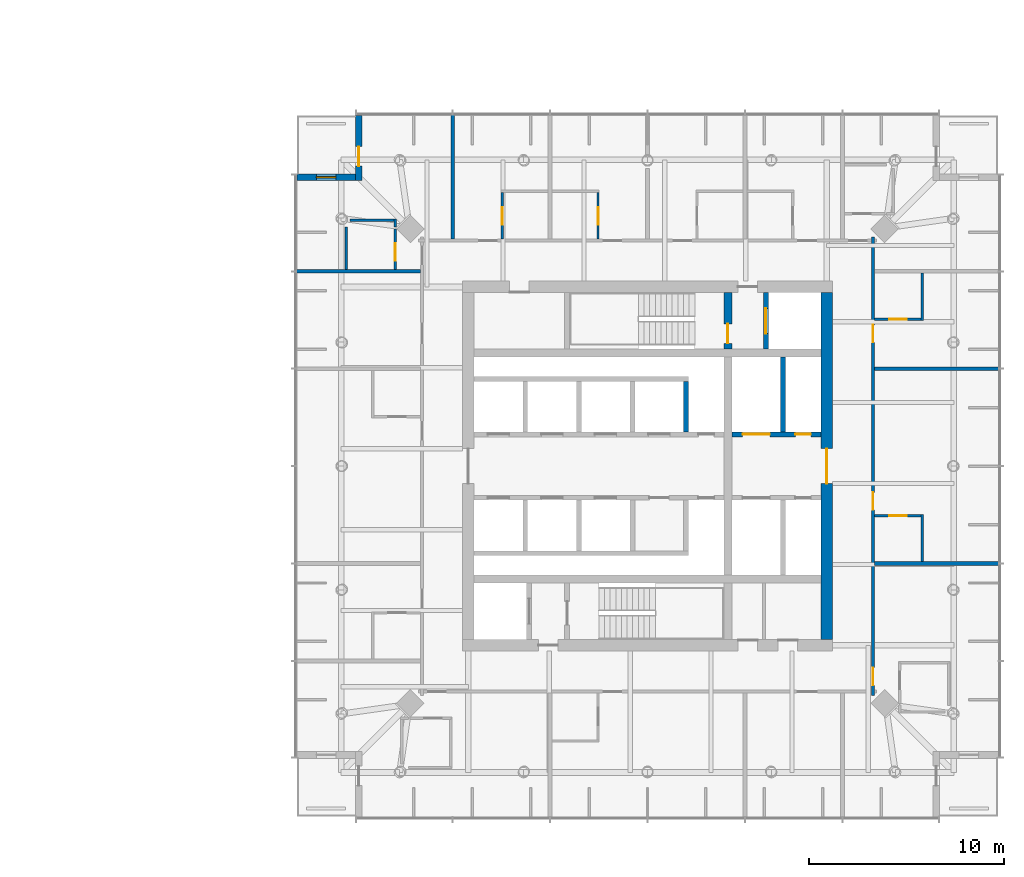
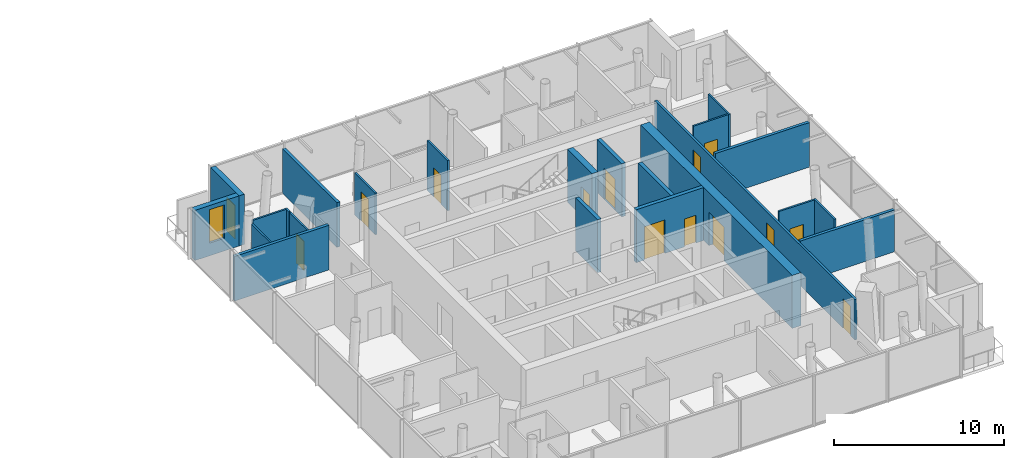
# One storey, part 14 of 18: 23 walls, 14 doors, 1 window, 15 openings.
"""IFC4 building model written with IfcOpenShell, lengths in metres."""

from ifc_helpers import new_model, si_unit, direction, frame, frame_2d, origin, place, context, subcontext, project, spatial, rectangle, extrude, material, layer, layer_set, type_object, element, fill, save


model = new_model("IFC4")

# Units and contexts
model_context = context("Model", 3, precision=1e-05, world=origin(), true_north=direction((0.0, 1.0)))
body_context = subcontext(model_context, "Body", "Model", "MODEL_VIEW")
ifc_project = project(units=[si_unit("LENGTHUNIT", "METRE"), si_unit("AREAUNIT", "SQUARE_METRE"), si_unit("VOLUMEUNIT", "CUBIC_METRE"), si_unit("PLANEANGLEUNIT", "RADIAN"), si_unit("MASSUNIT", "GRAM", prefix="KILO")], contexts=[model_context])

# Site, building, storey
site_placement = place(None, origin())
site = spatial("IfcSite", under=ifc_project, at=site_placement, CompositionType="ELEMENT")
building_placement = place(site_placement, origin())
building = spatial("IfcBuilding", under=site, at=building_placement, Name="Ostroluk Exchange", CompositionType="ELEMENT")
storey_placement = place(building_placement, frame((0.0, 0.0, 97.0)))
storey = spatial("IfcBuildingStorey", under=building, at=storey_placement, Name="L24", CompositionType="ELEMENT", Elevation=97.0)

# Wall, opening, door
ifc_material_1 = material(Name="Concrete C50/60", Category="concrete")
ifc_layer_1 = layer(ifc_material_1, 0.39990234375)
ifc_layer_set_1 = layer_set([ifc_layer_1], Name="Core cross wall 400 C50/60")
wall_type_1 = type_object("IfcWallType", Name="Core cross wall 400 C50/60", PredefinedType="SHEAR", material=ifc_layer_set_1)
wall_1_placement = place(storey_placement, frame((121.1298828125, 52.0, 0.0), z_axis=(0.0, 0.0, 1.0), x_axis=(0.0, 1.0, 0.0)))
wall_1 = element("IfcWall", 1, at=wall_1_placement, inside=storey, type_object=wall_type_1, Name="T2 core wall YE3", PredefinedType="SHEAR", context=body_context, shape_type="SweptSolid", body=[
    extrude(rectangle(XDim=2.89990234375, YDim=0.39990234375, at=frame_2d((1.449951171875, 0.0))), origin(), (0.0, 0.0, 1.0), 3.800048828125),
])
opening_1_placement = place(wall_1_placement, frame((0.300048828125, 0.0, 0.0)))
opening_1 = element("IfcOpeningElement", 2, at=opening_1_placement, cuts=wall_1, Name="Opening FD60", PredefinedType="OPENING", context=body_context, shape_type="SweptSolid", body=[
    extrude(rectangle(XDim=1.0, YDim=2.10009765625, at=frame_2d((0.5, 1.050048828125))), frame((0.0, 0.2099609375, 0.0), z_axis=(0.0, -1.0, 0.0), x_axis=(1.0, 0.0, 0.0)), (0.0, 0.0, 1.0), 0.419921875),
])
ifc_material_2 = material(Name="Steel", Category="steel")
door_type_1 = type_object("IfcDoorType", Name="Fire door EI 60 1000 x 2100", OperationType="SINGLE_SWING_LEFT", PredefinedType="DOOR", material=ifc_material_2)
door_1_placement = place(opening_1_placement, origin())
door_1 = element("IfcDoor", 3, at=door_1_placement, inside=storey, type_object=door_type_1, Name="Stair T2-S2 door", OperationType="SINGLE_SWING_LEFT", OverallHeight=2.10009765625, OverallWidth=1.0, PredefinedType="DOOR", context=body_context, shape_type="SweptSolid", body=[
    extrude(rectangle(XDim=1.0, YDim=2.10009765625, at=frame_2d((0.5, 1.050048828125))), frame((0.0, 0.02490234375, 0.0), z_axis=(0.0, -1.0, 0.0), x_axis=(1.0, 0.0, 0.0)), (0.0, 0.0, 1.0), 0.050048828125),
])
fill(opening_1, door_1)

ifc_material_3 = material(Name="Concrete C40/50", Category="concrete")
ifc_layer_2 = layer(ifc_material_3, 0.25)
ifc_layer_set_2 = layer_set([ifc_layer_2], Name="Core shaft wall 250")
wall_type_2 = type_object("IfcWallType", Name="Core shaft wall 250", PredefinedType="SHEAR", material=ifc_layer_set_2)
wall_2_placement = place(storey_placement, frame((123.074951171875, 52.0, 0.0), z_axis=(0.0, 0.0, 1.0), x_axis=(0.0, 1.0, 0.0)))
wall_2 = element("IfcWall", 4, at=wall_2_placement, inside=storey, type_object=wall_type_2, Name="Firefighting lift shaft wall", PredefinedType="SHEAR", context=body_context, shape_type="SweptSolid", body=[
    extrude(rectangle(XDim=2.89990234375, YDim=0.25, at=frame_2d((1.449951171875, 0.0))), origin(), (0.0, 0.0, 1.0), 3.800048828125),
])
opening_2_placement = place(wall_2_placement, frame((0.800048828125, 0.0, 0.0)))
opening_2 = element("IfcOpeningElement", 5, at=opening_2_placement, cuts=wall_2, Name="Opening LD2", PredefinedType="OPENING", context=body_context, shape_type="SweptSolid", body=[
    extrude(rectangle(XDim=1.300048828125, YDim=2.199951171875, at=frame_2d((0.64990234375, 1.10009765625))), frame((0.0, 0.135009765625, 0.0), z_axis=(0.0, -1.0, 0.0), x_axis=(1.0, 0.0, 0.0)), (0.0, 0.0, 1.0), 0.27001953125),
])
ifc_material_4 = material(Name="Stainless steel", Category="steel")
door_type_2 = type_object("IfcDoorType", Name="Lift landing door E 60 1300 x 2200", OperationType="DOUBLE_DOOR_SLIDING", PredefinedType="DOOR", material=ifc_material_4)
door_2_placement = place(opening_2_placement, origin())
door_2 = element("IfcDoor", 6, at=door_2_placement, inside=storey, type_object=door_type_2, Name="Lift HF2 landing door", OperationType="DOUBLE_DOOR_SLIDING", OverallHeight=2.199951171875, OverallWidth=1.300048828125, PredefinedType="DOOR", context=body_context, shape_type="SweptSolid", body=[
    extrude(rectangle(XDim=1.300048828125, YDim=2.199951171875, at=frame_2d((0.64990234375, 1.10009765625))), frame((0.0, 0.02490234375, 0.0), z_axis=(0.0, -1.0, 0.0), x_axis=(1.0, 0.0, 0.0)), (0.0, 0.0, 1.0), 0.050048828125),
])
fill(opening_2, door_2)

# Walls
wall_3_placement = place(storey_placement, frame((118.97509765625, 47.75, 0.0), z_axis=(0.0, 0.0, 1.0), x_axis=(0.0, 1.0, 0.0)))
element("IfcWall", 7, at=wall_3_placement, inside=storey, type_object=wall_type_2, Name="Lift shaft wall", PredefinedType="SHEAR", context=body_context, shape_type="SweptSolid", body=[
    extrude(rectangle(XDim=2.60009765625, YDim=0.25, at=frame_2d((1.300048828125, 0.0))), origin(), (0.0, 0.0, 1.0), 3.800048828125),
])
wall_4_placement = place(storey_placement, frame((123.955078125, 47.75, 0.0), z_axis=(0.0, 0.0, 1.0), x_axis=(0.0, 1.0, 0.0)))
element("IfcWall", 8, at=wall_4_placement, inside=storey, type_object=wall_type_2, Name="Lift shaft wall", PredefinedType="SHEAR", context=body_context, shape_type="SweptSolid", body=[
    extrude(rectangle(XDim=3.85009765625, YDim=0.25, at=frame_2d((1.925048828125, 0.0))), origin(), (0.0, 0.0, 1.0), 3.800048828125),
])

# Wall, openings, doors
wall_5_placement = place(storey_placement, frame((121.330078125, 47.625, 0.0), z_axis=(0.0, 0.0, 1.0), x_axis=(1.0, 0.0, 0.0)))
wall_5 = element("IfcWall", 9, at=wall_5_placement, inside=storey, type_object=wall_type_2, Name="Lift shaft front wall", PredefinedType="SHEAR", context=body_context, shape_type="SweptSolid", body=[
    extrude(rectangle(XDim=4.56982421875, YDim=0.25, at=frame_2d((2.284912109375, 0.0))), origin(), (0.0, 0.0, 1.0), 3.800048828125),
])
opening_3_placement = place(wall_5_placement, frame((0.550048828125, 0.0, 0.0)))
opening_3 = element("IfcOpeningElement", 10, at=opening_3_placement, cuts=wall_5, Name="Opening LD3", PredefinedType="OPENING", context=body_context, shape_type="SweptSolid", body=[
    extrude(rectangle(XDim=1.39990234375, YDim=2.39990234375, at=frame_2d((0.699951171875, 1.199951171875))), frame((0.0, 0.135009765625, 0.0), z_axis=(0.0, -1.0, 0.0), x_axis=(1.0, 0.0, 0.0)), (0.0, 0.0, 1.0), 0.27001953125),
])
opening_4_placement = place(wall_5_placement, frame((3.260009765625, 0.0, 0.0)))
opening_4 = element("IfcOpeningElement", 11, at=opening_4_placement, cuts=wall_5, Name="Opening RD60", PredefinedType="OPENING", context=body_context, shape_type="SweptSolid", body=[
    extrude(rectangle(XDim=0.800048828125, YDim=2.0, at=frame_2d((0.39990234375, 1.0))), frame((0.0, 0.135009765625, 0.0), z_axis=(0.0, -1.0, 0.0), x_axis=(1.0, 0.0, 0.0)), (0.0, 0.0, 1.0), 0.27001953125),
])
ifc_material_5 = material(Name="Stainless steel", Category="steel")
door_type_3 = type_object("IfcDoorType", Name="Goods lift landing door E 60 1400 x 2400", OperationType="DOUBLE_DOOR_SLIDING", PredefinedType="DOOR", material=ifc_material_5)
door_3_placement = place(opening_3_placement, origin())
door_3 = element("IfcDoor", 12, at=door_3_placement, inside=storey, type_object=door_type_3, Name="Lift HS1 landing door", OperationType="DOUBLE_DOOR_SLIDING", OverallHeight=2.39990234375, OverallWidth=1.39990234375, PredefinedType="DOOR", context=body_context, shape_type="SweptSolid", body=[
    extrude(rectangle(XDim=1.39990234375, YDim=2.39990234375, at=frame_2d((0.699951171875, 1.199951171875))), frame((0.0, 0.02490234375, 0.0), z_axis=(0.0, -1.0, 0.0), x_axis=(1.0, 0.0, 0.0)), (0.0, 0.0, 1.0), 0.050048828125),
])
fill(opening_3, door_3)
ifc_material_6 = material(Name="Steel", Category="steel")
door_type_4 = type_object("IfcDoorType", Name="Riser access door EI 60 800 x 2000", OperationType="SINGLE_SWING_LEFT", PredefinedType="DOOR", material=ifc_material_6)
door_4_placement = place(opening_4_placement, origin())
door_4 = element("IfcDoor", 13, at=door_4_placement, inside=storey, type_object=door_type_4, Name="Riser access door", OperationType="SINGLE_SWING_RIGHT", OverallHeight=2.0, OverallWidth=0.800048828125, PredefinedType="DOOR", context=body_context, shape_type="SweptSolid", body=[
    extrude(rectangle(XDim=0.800048828125, YDim=2.0, at=frame_2d((0.39990234375, 1.0))), frame((0.0, 0.02490234375, 0.0), z_axis=(0.0, -1.0, 0.0), x_axis=(1.0, 0.0, 0.0)), (0.0, 0.0, 1.0), 0.050048828125),
])
fill(opening_4, door_4)

# Wall, opening, door
ifc_material_7 = material(Name="Concrete C50/60", Category="concrete")
ifc_layer_3 = layer(ifc_material_7, 0.60009765625)
ifc_layer_set_3 = layer_set([ifc_layer_3], Name="Core wall 600 C50/60")
wall_type_3 = type_object("IfcWallType", Name="Core wall 600 C50/60", PredefinedType="SHEAR", material=ifc_layer_set_3)
wall_6_placement = place(storey_placement, frame((126.199951171875, 37.10009765625, 0.0), z_axis=(0.0, 0.0, 1.0), x_axis=(0.0, 1.0, 0.0)))
wall_6 = element("IfcWall", 14, at=wall_6_placement, inside=storey, type_object=wall_type_3, Name="T2 core wall E", PredefinedType="SHEAR", context=body_context, shape_type="SweptSolid", body=[
    extrude(rectangle(XDim=17.7998046875, YDim=0.60009765625, at=frame_2d((8.89990234375, 0.0))), origin(), (0.0, 0.0, 1.0), 3.800048828125),
])
opening_5_placement = place(wall_6_placement, frame((8.0, 0.0, 0.0)))
opening_5 = element("IfcOpeningElement", 15, at=opening_5_placement, cuts=wall_6, Name="Opening FD30D", PredefinedType="OPENING", context=body_context, shape_type="SweptSolid", body=[
    extrude(rectangle(XDim=1.800048828125, YDim=2.39990234375, at=frame_2d((0.89990234375, 1.199951171875))), frame((0.0, 0.31005859375, 0.0), z_axis=(0.0, -1.0, 0.0), x_axis=(1.0, 0.0, 0.0)), (0.0, 0.0, 1.0), 0.6201171875),
])
ifc_material_8 = material(Name="Timber", Category="wood")
door_type_5 = type_object("IfcDoorType", Name="Lobby double door EI 30 1800 x 2400", OperationType="DOUBLE_DOOR_SINGLE_SWING", PredefinedType="DOOR", material=ifc_material_8)
door_5_placement = place(opening_5_placement, origin())
door_5 = element("IfcDoor", 16, at=door_5_placement, inside=storey, type_object=door_type_5, Name="Lift lobby doors", OperationType="DOUBLE_DOOR_SINGLE_SWING", OverallHeight=2.39990234375, OverallWidth=1.800048828125, PredefinedType="DOOR", context=body_context, shape_type="SweptSolid", body=[
    extrude(rectangle(XDim=1.800048828125, YDim=2.39990234375, at=frame_2d((0.89990234375, 1.199951171875))), frame((0.0, 0.02490234375, 0.0), z_axis=(0.0, -1.0, 0.0), x_axis=(1.0, 0.0, 0.0)), (0.0, 0.0, 1.0), 0.050048828125),
])
fill(opening_5, door_5)

ifc_material_9 = material(Name="Limestone", Category="masonry")
ifc_layer_4 = layer(ifc_material_9, 0.35009765625)
ifc_layer_set_4 = layer_set([ifc_layer_4], Name="Limestone facade wall 350")
wall_type_4 = type_object("IfcWallType", Name="Limestone facade wall 350", PredefinedType="SOLIDWALL", material=ifc_layer_set_4)
wall_7_placement = place(storey_placement, frame((102.175048828125, 64.0, 0.0), z_axis=(0.0, 0.0, 1.0), x_axis=(0.0, -1.0, 0.0)))
wall_7 = element("IfcWall", 17, at=wall_7_placement, inside=storey, type_object=wall_type_4, Name="Hotel tower NW corner wall L24 a", PredefinedType="SOLIDWALL", context=body_context, shape_type="SweptSolid", body=[
    extrude(rectangle(XDim=3.35009765625, YDim=0.35009765625, at=frame_2d((1.675048828125, 0.0))), origin(), (0.0, 0.0, 1.0), 3.60009765625),
])
opening_6_placement = place(wall_7_placement, frame((1.60009765625, 0.0, 0.0)))
opening_6 = element("IfcOpeningElement", 18, at=opening_6_placement, cuts=wall_7, Name="Opening D-B1", PredefinedType="OPENING", context=body_context, shape_type="SweptSolid", body=[
    extrude(rectangle(XDim=1.0, YDim=2.39990234375, at=frame_2d((0.5, 1.199951171875))), frame((0.0, 0.18505859375, 0.0), z_axis=(0.0, -1.0, 0.0), x_axis=(1.0, 0.0, 0.0)), (0.0, 0.0, 1.0), 0.3701171875),
])
ifc_material_10 = material(Name="Bronze framed glazed door", Category="aluminium")
door_type_6 = type_object("IfcDoorType", Name="Balcony door 1000 x 2400", OperationType="SINGLE_SWING_LEFT", PredefinedType="DOOR", material=ifc_material_10)
door_6_placement = place(opening_6_placement, origin())
door_6 = element("IfcDoor", 19, at=door_6_placement, inside=storey, type_object=door_type_6, Name="Hotel tower NW balcony door L24", OperationType="SINGLE_SWING_RIGHT", OverallHeight=2.39990234375, OverallWidth=1.0, PredefinedType="DOOR", context=body_context, shape_type="SweptSolid", body=[
    extrude(rectangle(XDim=1.0, YDim=2.39990234375, at=frame_2d((0.5, 1.199951171875))), frame((0.0, 0.02490234375, 0.0), z_axis=(0.0, -1.0, 0.0), x_axis=(1.0, 0.0, 0.0)), (0.0, 0.0, 1.0), 0.050048828125),
])
fill(opening_6, door_6)

# Wall, opening, window
wall_8_placement = place(storey_placement, frame((102.0, 60.824951171875, 0.0), z_axis=(0.0, 0.0, 1.0), x_axis=(-1.0, 0.0, 0.0)))
wall_8 = element("IfcWall", 20, at=wall_8_placement, inside=storey, type_object=wall_type_4, Name="Hotel tower NW corner wall L24 b", PredefinedType="SOLIDWALL", context=body_context, shape_type="SweptSolid", body=[
    extrude(rectangle(XDim=3.0, YDim=0.35009765625, at=frame_2d((1.5, 0.0))), origin(), (0.0, 0.0, 1.0), 3.60009765625),
])
opening_7_placement = place(wall_8_placement, frame((1.0, 0.0, 0.89990234375)))
opening_7 = element("IfcOpeningElement", 21, at=opening_7_placement, cuts=wall_8, Name="Opening WN-L3", PredefinedType="OPENING", context=body_context, shape_type="SweptSolid", body=[
    extrude(rectangle(XDim=1.0, YDim=2.39990234375, at=frame_2d((0.5, 1.199951171875))), frame((0.0, 0.18505859375, 0.0), z_axis=(0.0, -1.0, 0.0), x_axis=(1.0, 0.0, 0.0)), (0.0, 0.0, 1.0), 0.3701171875),
])
ifc_material_11 = material(Name="Laminated clear glass", Category="glass")
window_type = type_object("IfcWindowType", Name="Hotel lancet window 1000 x 2400", PartitioningType="SINGLE_PANEL", PredefinedType="WINDOW", material=ifc_material_11)
window_placement = place(opening_7_placement, origin())
window = element("IfcWindow", 22, at=window_placement, inside=storey, type_object=window_type, Name="Hotel tower NW lancet window L24", OverallHeight=2.39990234375, OverallWidth=1.0, PartitioningType="SINGLE_PANEL", PredefinedType="WINDOW", context=body_context, shape_type="SweptSolid", body=[
    extrude(rectangle(XDim=1.0, YDim=2.39990234375, at=frame_2d((0.5, 1.199951171875))), frame((0.0, 0.030029296875, 0.0), z_axis=(0.0, -1.0, 0.0), x_axis=(1.0, 0.0, 0.0)), (0.0, 0.0, 1.0), 0.06005859375),
])
fill(opening_7, window)

# Wall
ifc_material_12 = material(Name="Gypsum plasterboard partition, moisture resistant", Category="gypsum")
ifc_layer_5 = layer(ifc_material_12, 0.1201171875)
ifc_layer_set_5 = layer_set([ifc_layer_5], Name="Plasterboard en-suite wall 120")
wall_type_5 = type_object("IfcWallType", Name="Plasterboard en-suite wall 120", PredefinedType="PARTITIONING", material=ifc_layer_set_5)
wall_9_placement = place(storey_placement, frame((131.110107421875, 41.10009765625, 0.0), z_axis=(0.0, 0.0, 1.0), x_axis=(0.0, 1.0, 0.0)))
element("IfcWall", 23, at=wall_9_placement, inside=storey, type_object=wall_type_5, Name="En-suite wall", PredefinedType="PARTITIONING", context=body_context, shape_type="SweptSolid", body=[
    extrude(rectangle(XDim=2.419921875, YDim=0.1201171875, at=frame_2d((1.2099609375, 0.0))), origin(), (0.0, 0.0, 1.0), 3.60009765625),
])

# Wall, opening, door
wall_10_placement = place(storey_placement, frame((128.64990234375, 43.4599609375, 0.0), z_axis=(0.0, 0.0, 1.0), x_axis=(1.0, 0.0, 0.0)))
wall_10 = element("IfcWall", 24, at=wall_10_placement, inside=storey, type_object=wall_type_5, Name="En-suite wall", PredefinedType="PARTITIONING", context=body_context, shape_type="SweptSolid", body=[
    extrude(rectangle(XDim=2.400146484375, YDim=0.1201171875, at=frame_2d((1.2001953125, 0.0))), origin(), (0.0, 0.0, 1.0), 3.60009765625),
])
opening_8_placement = place(wall_10_placement, frame((0.75, 0.0, 0.0)))
opening_8 = element("IfcOpeningElement", 25, at=opening_8_placement, cuts=wall_10, Name="Opening D-02", PredefinedType="OPENING", context=body_context, shape_type="SweptSolid", body=[
    extrude(rectangle(XDim=0.89990234375, YDim=2.10009765625, at=frame_2d((0.449951171875, 1.050048828125))), frame((0.0, 0.070068359375, 0.0), z_axis=(0.0, -1.0, 0.0), x_axis=(1.0, 0.0, 0.0)), (0.0, 0.0, 1.0), 0.14013671875),
])
ifc_material_13 = material(Name="Timber", Category="wood")
door_type_7 = type_object("IfcDoorType", Name="En-suite door 900 x 2100", OperationType="SINGLE_SWING_LEFT", PredefinedType="DOOR", material=ifc_material_13)
door_7_placement = place(opening_8_placement, origin())
door_7 = element("IfcDoor", 26, at=door_7_placement, inside=storey, type_object=door_type_7, Name="En-suite door 2402", OperationType="SINGLE_SWING_LEFT", OverallHeight=2.10009765625, OverallWidth=0.89990234375, PredefinedType="DOOR", context=body_context, shape_type="SweptSolid", body=[
    extrude(rectangle(XDim=0.89990234375, YDim=2.10009765625, at=frame_2d((0.449951171875, 1.050048828125))), frame((0.0, 0.02490234375, 0.0), z_axis=(0.0, -1.0, 0.0), x_axis=(1.0, 0.0, 0.0)), (0.0, 0.0, 1.0), 0.050048828125),
])
fill(opening_8, door_7)

# Wall
wall_11_placement = place(storey_placement, frame((131.110107421875, 53.47998046875, 0.0), z_axis=(0.0, 0.0, 1.0), x_axis=(0.0, 1.0, 0.0)))
element("IfcWall", 27, at=wall_11_placement, inside=storey, type_object=wall_type_5, Name="En-suite wall", PredefinedType="PARTITIONING", context=body_context, shape_type="SweptSolid", body=[
    extrude(rectangle(XDim=2.419921875, YDim=0.1201171875, at=frame_2d((1.2099609375, 0.0))), origin(), (0.0, 0.0, 1.0), 3.60009765625),
])

# Wall, opening, door
wall_12_placement = place(storey_placement, frame((128.64990234375, 53.5400390625, 0.0), z_axis=(0.0, 0.0, 1.0), x_axis=(1.0, 0.0, 0.0)))
wall_12 = element("IfcWall", 28, at=wall_12_placement, inside=storey, type_object=wall_type_5, Name="En-suite wall", PredefinedType="PARTITIONING", context=body_context, shape_type="SweptSolid", body=[
    extrude(rectangle(XDim=2.400146484375, YDim=0.1201171875, at=frame_2d((1.2001953125, 0.0))), origin(), (0.0, 0.0, 1.0), 3.60009765625),
])
opening_9_placement = place(wall_12_placement, frame((0.75, 0.0, 0.0)))
opening_9 = element("IfcOpeningElement", 29, at=opening_9_placement, cuts=wall_12, Name="Opening D-02", PredefinedType="OPENING", context=body_context, shape_type="SweptSolid", body=[
    extrude(rectangle(XDim=0.89990234375, YDim=2.10009765625, at=frame_2d((0.449951171875, 1.050048828125))), frame((0.0, 0.070068359375, 0.0), z_axis=(0.0, -1.0, 0.0), x_axis=(1.0, 0.0, 0.0)), (0.0, 0.0, 1.0), 0.14013671875),
])
door_8_placement = place(opening_9_placement, origin())
door_8 = element("IfcDoor", 30, at=door_8_placement, inside=storey, type_object=door_type_7, Name="En-suite door 2403", OperationType="SINGLE_SWING_LEFT", OverallHeight=2.10009765625, OverallWidth=0.89990234375, PredefinedType="DOOR", context=body_context, shape_type="SweptSolid", body=[
    extrude(rectangle(XDim=0.89990234375, YDim=2.10009765625, at=frame_2d((0.449951171875, 1.050048828125))), frame((0.0, 0.02490234375, 0.0), z_axis=(0.0, -1.0, 0.0), x_axis=(1.0, 0.0, 0.0)), (0.0, 0.0, 1.0), 0.050048828125),
])
fill(opening_9, door_8)

wall_13_placement = place(storey_placement, frame((114.4599609375, 57.64990234375, 0.0), z_axis=(0.0, 0.0, 1.0), x_axis=(0.0, 1.0, 0.0)))
wall_13 = element("IfcWall", 31, at=wall_13_placement, inside=storey, type_object=wall_type_5, Name="En-suite wall", PredefinedType="PARTITIONING", context=body_context, shape_type="SweptSolid", body=[
    extrude(rectangle(XDim=2.400146484375, YDim=0.1201171875, at=frame_2d((1.2001953125, 0.0))), origin(), (0.0, 0.0, 1.0), 3.60009765625),
])
opening_10_placement = place(wall_13_placement, frame((0.75, 0.0, 0.0)))
opening_10 = element("IfcOpeningElement", 32, at=opening_10_placement, cuts=wall_13, Name="Opening D-02", PredefinedType="OPENING", context=body_context, shape_type="SweptSolid", body=[
    extrude(rectangle(XDim=0.89990234375, YDim=2.10009765625, at=frame_2d((0.449951171875, 1.050048828125))), frame((0.0, 0.070068359375, 0.0), z_axis=(0.0, -1.0, 0.0), x_axis=(1.0, 0.0, 0.0)), (0.0, 0.0, 1.0), 0.14013671875),
])
door_9_placement = place(opening_10_placement, origin())
door_9 = element("IfcDoor", 33, at=door_9_placement, inside=storey, type_object=door_type_7, Name="En-suite door 2407", OperationType="SINGLE_SWING_RIGHT", OverallHeight=2.10009765625, OverallWidth=0.89990234375, PredefinedType="DOOR", context=body_context, shape_type="SweptSolid", body=[
    extrude(rectangle(XDim=0.89990234375, YDim=2.10009765625, at=frame_2d((0.449951171875, 1.050048828125))), frame((0.0, 0.02490234375, 0.0), z_axis=(0.0, -1.0, 0.0), x_axis=(1.0, 0.0, 0.0)), (0.0, 0.0, 1.0), 0.050048828125),
])
fill(opening_10, door_9)

wall_14_placement = place(storey_placement, frame((109.5400390625, 57.64990234375, 0.0), z_axis=(0.0, 0.0, 1.0), x_axis=(0.0, 1.0, 0.0)))
wall_14 = element("IfcWall", 34, at=wall_14_placement, inside=storey, type_object=wall_type_5, Name="En-suite wall", PredefinedType="PARTITIONING", context=body_context, shape_type="SweptSolid", body=[
    extrude(rectangle(XDim=2.400146484375, YDim=0.1201171875, at=frame_2d((1.2001953125, 0.0))), origin(), (0.0, 0.0, 1.0), 3.0),
])
opening_11_placement = place(wall_14_placement, frame((0.75, 0.0, 0.0)))
opening_11 = element("IfcOpeningElement", 35, at=opening_11_placement, cuts=wall_14, Name="Opening D-02", PredefinedType="OPENING", context=body_context, shape_type="SweptSolid", body=[
    extrude(rectangle(XDim=0.89990234375, YDim=2.10009765625, at=frame_2d((0.449951171875, 1.050048828125))), frame((0.0, 0.070068359375, 0.0), z_axis=(0.0, -1.0, 0.0), x_axis=(1.0, 0.0, 0.0)), (0.0, 0.0, 1.0), 0.14013671875),
])
door_10_placement = place(opening_11_placement, origin())
door_10 = element("IfcDoor", 36, at=door_10_placement, inside=storey, type_object=door_type_7, Name="En-suite door 2408", OperationType="SINGLE_SWING_RIGHT", OverallHeight=2.10009765625, OverallWidth=0.89990234375, PredefinedType="DOOR", context=body_context, shape_type="SweptSolid", body=[
    extrude(rectangle(XDim=0.89990234375, YDim=2.10009765625, at=frame_2d((0.449951171875, 1.050048828125))), frame((0.0, 0.02490234375, 0.0), z_axis=(0.0, -1.0, 0.0), x_axis=(1.0, 0.0, 0.0)), (0.0, 0.0, 1.0), 0.050048828125),
])
fill(opening_11, door_10)

wall_15_placement = place(storey_placement, frame((104.050048828125, 56.10009765625, 0.0), z_axis=(0.0, 0.0, 1.0), x_axis=(0.0, 1.0, 0.0)))
wall_15 = element("IfcWall", 37, at=wall_15_placement, inside=storey, type_object=wall_type_5, Name="En-suite wall", PredefinedType="PARTITIONING", context=body_context, shape_type="SweptSolid", body=[
    extrude(rectangle(XDim=2.082763671875, YDim=0.1201171875, at=frame_2d((1.04150390625, 0.0))), origin(), (0.0, 0.0, 1.0), 3.199951171875),
])
opening_12_placement = place(wall_15_placement, frame((0.449951171875, 0.0, 0.0)))
opening_12 = element("IfcOpeningElement", 38, at=opening_12_placement, cuts=wall_15, Name="Opening D-02", PredefinedType="OPENING", context=body_context, shape_type="SweptSolid", body=[
    extrude(rectangle(XDim=0.89990234375, YDim=2.10009765625, at=frame_2d((0.449951171875, 1.050048828125))), frame((0.0, 0.070068359375, 0.0), z_axis=(0.0, -1.0, 0.0), x_axis=(1.0, 0.0, 0.0)), (0.0, 0.0, 1.0), 0.14013671875),
])
door_11_placement = place(opening_12_placement, origin())
door_11 = element("IfcDoor", 39, at=door_11_placement, inside=storey, type_object=door_type_7, Name="En-suite door 2409", OperationType="SINGLE_SWING_LEFT", OverallHeight=2.10009765625, OverallWidth=0.89990234375, PredefinedType="DOOR", context=body_context, shape_type="SweptSolid", body=[
    extrude(rectangle(XDim=0.89990234375, YDim=2.10009765625, at=frame_2d((0.449951171875, 1.050048828125))), frame((0.0, 0.02490234375, 0.0), z_axis=(0.0, -1.0, 0.0), x_axis=(1.0, 0.0, 0.0)), (0.0, 0.0, 1.0), 0.050048828125),
])
fill(opening_12, door_11)

# Walls
wall_16_placement = place(storey_placement, frame((104.050048828125, 58.265380859375, 0.0), z_axis=(0.0, 0.0, 1.0), x_axis=(0.0, 1.0, 0.0)))
element("IfcWall", 40, at=wall_16_placement, inside=storey, type_object=wall_type_5, Name="En-suite wall", PredefinedType="PARTITIONING", context=body_context, shape_type="SweptSolid", body=[
    extrude(rectangle(XDim=0.41455078125, YDim=0.1201171875, at=frame_2d((0.207275390625, 0.0))), origin(), (0.0, 0.0, 1.0), 3.199951171875),
])
wall_17_placement = place(storey_placement, frame((101.530029296875, 56.10009765625, 0.0), z_axis=(0.0, 0.0, 1.0), x_axis=(0.0, 1.0, 0.0)))
element("IfcWall", 41, at=wall_17_placement, inside=storey, type_object=wall_type_5, Name="En-suite wall", PredefinedType="PARTITIONING", context=body_context, shape_type="SweptSolid", body=[
    extrude(rectangle(XDim=2.1806640625, YDim=0.1201171875, at=frame_2d((1.09033203125, 0.0))), origin(), (0.0, 0.0, 1.0), 3.199951171875),
])
wall_18_placement = place(storey_placement, frame((104.06884765625, 58.6201171875, 0.0), z_axis=(0.0, 0.0, 1.0), x_axis=(-1.0, 0.0, 0.0)))
element("IfcWall", 42, at=wall_18_placement, inside=storey, type_object=wall_type_5, Name="En-suite wall", PredefinedType="PARTITIONING", context=body_context, shape_type="SweptSolid", body=[
    extrude(rectangle(XDim=2.349609375, YDim=0.1201171875, at=frame_2d((1.1748046875, 0.0))), origin(), (0.0, 0.0, 1.0), 3.199951171875),
])

# Wall, openings, doors
ifc_material_14 = material(Name="Gypsum plasterboard partition", Category="gypsum")
ifc_layer_6 = layer(ifc_material_14, 0.14990234375)
ifc_layer_set_6 = layer_set([ifc_layer_6], Name="Plasterboard partition 150")
wall_type_6 = type_object("IfcWallType", Name="Plasterboard partition 150", PredefinedType="PARTITIONING", material=ifc_layer_set_6)
wall_19_placement = place(storey_placement, frame((128.574951171875, 34.236328125, 0.0), z_axis=(0.0, 0.0, 1.0), x_axis=(0.0, 1.0, 0.0)))
wall_19 = element("IfcWall", 43, at=wall_19_placement, inside=storey, type_object=wall_type_6, Name="Corridor wall", PredefinedType="PARTITIONING", context=body_context, shape_type="SweptSolid", body=[
    extrude(rectangle(XDim=23.52734375, YDim=0.14990234375, at=frame_2d((11.763671875, 0.0))), origin(), (0.0, 0.0, 1.0), 2.89990234375),
])
opening_13_placement = place(wall_19_placement, frame((0.513671875, 0.0, 0.0)))
opening_13 = element("IfcOpeningElement", 44, at=opening_13_placement, cuts=wall_19, Name="Opening D-01", PredefinedType="OPENING", context=body_context, shape_type="SweptSolid", body=[
    extrude(rectangle(XDim=0.89990234375, YDim=2.10009765625, at=frame_2d((0.449951171875, 1.050048828125))), frame((0.0, 0.0849609375, 0.0), z_axis=(0.0, -1.0, 0.0), x_axis=(1.0, 0.0, 0.0)), (0.0, 0.0, 1.0), 0.169921875),
])
opening_14_placement = place(wall_19_placement, frame((9.513671875, 0.0, 0.0)))
opening_14 = element("IfcOpeningElement", 45, at=opening_14_placement, cuts=wall_19, Name="Opening D-01", PredefinedType="OPENING", context=body_context, shape_type="SweptSolid", body=[
    extrude(rectangle(XDim=0.89990234375, YDim=2.10009765625, at=frame_2d((0.449951171875, 1.050048828125))), frame((0.0, 0.0849609375, 0.0), z_axis=(0.0, -1.0, 0.0), x_axis=(1.0, 0.0, 0.0)), (0.0, 0.0, 1.0), 0.169921875),
])
opening_15_placement = place(wall_19_placement, frame((18.113525390625, 0.0, 0.0)))
opening_15 = element("IfcOpeningElement", 46, at=opening_15_placement, cuts=wall_19, Name="Opening D-01", PredefinedType="OPENING", context=body_context, shape_type="SweptSolid", body=[
    extrude(rectangle(XDim=0.89990234375, YDim=2.10009765625, at=frame_2d((0.449951171875, 1.050048828125))), frame((0.0, 0.0849609375, 0.0), z_axis=(0.0, -1.0, 0.0), x_axis=(1.0, 0.0, 0.0)), (0.0, 0.0, 1.0), 0.169921875),
])
ifc_material_15 = material(Name="Timber", Category="wood")
door_type_8 = type_object("IfcDoorType", Name="Hotel room door EI 30 Sa 900 x 2100", OperationType="SINGLE_SWING_LEFT", PredefinedType="DOOR", material=ifc_material_15)
door_12_placement = place(opening_13_placement, origin())
door_12 = element("IfcDoor", 47, at=door_12_placement, inside=storey, type_object=door_type_8, Name="Room door 2401", OperationType="SINGLE_SWING_LEFT", OverallHeight=2.10009765625, OverallWidth=0.89990234375, PredefinedType="DOOR", context=body_context, shape_type="SweptSolid", body=[
    extrude(rectangle(XDim=0.89990234375, YDim=2.10009765625, at=frame_2d((0.449951171875, 1.050048828125))), frame((0.0, 0.02490234375, 0.0), z_axis=(0.0, -1.0, 0.0), x_axis=(1.0, 0.0, 0.0)), (0.0, 0.0, 1.0), 0.050048828125),
])
fill(opening_13, door_12)
door_13_placement = place(opening_14_placement, origin())
door_13 = element("IfcDoor", 48, at=door_13_placement, inside=storey, type_object=door_type_8, Name="Room door 2402", OperationType="SINGLE_SWING_LEFT", OverallHeight=2.10009765625, OverallWidth=0.89990234375, PredefinedType="DOOR", context=body_context, shape_type="SweptSolid", body=[
    extrude(rectangle(XDim=0.89990234375, YDim=2.10009765625, at=frame_2d((0.449951171875, 1.050048828125))), frame((0.0, 0.02490234375, 0.0), z_axis=(0.0, -1.0, 0.0), x_axis=(1.0, 0.0, 0.0)), (0.0, 0.0, 1.0), 0.050048828125),
])
fill(opening_14, door_13)
door_14_placement = place(opening_15_placement, origin())
door_14 = element("IfcDoor", 49, at=door_14_placement, inside=storey, type_object=door_type_8, Name="Room door 2403", OperationType="SINGLE_SWING_RIGHT", OverallHeight=2.10009765625, OverallWidth=0.89990234375, PredefinedType="DOOR", context=body_context, shape_type="SweptSolid", body=[
    extrude(rectangle(XDim=0.89990234375, YDim=2.10009765625, at=frame_2d((0.449951171875, 1.050048828125))), frame((0.0, 0.02490234375, 0.0), z_axis=(0.0, -1.0, 0.0), x_axis=(1.0, 0.0, 0.0)), (0.0, 0.0, 1.0), 0.050048828125),
])
fill(opening_15, door_14)

# Walls
ifc_material_16 = material(Name="Gypsum plasterboard partition", Category="gypsum")
ifc_layer_7 = layer(ifc_material_16, 0.199951171875)
ifc_layer_set_7 = layer_set([ifc_layer_7], Name="Plasterboard party wall 200")
wall_type_7 = type_object("IfcWallType", Name="Plasterboard party wall 200", PredefinedType="PARTITIONING", material=ifc_layer_set_7)
wall_20_placement = place(storey_placement, frame((128.64990234375, 41.0, 0.0), z_axis=(0.0, 0.0, 1.0), x_axis=(1.0, 0.0, 0.0)))
element("IfcWall", 50, at=wall_20_placement, inside=storey, type_object=wall_type_7, Name="Party wall", PredefinedType="PARTITIONING", context=body_context, shape_type="SweptSolid", body=[
    extrude(rectangle(XDim=6.39013671875, YDim=0.199951171875, at=frame_2d((3.195068359375, 0.0))), origin(), (0.0, 0.0, 1.0), 3.0),
])
for number, where, z_axis, x_axis, name in (
    (51, (128.64990234375, 51.0, 0.0), (0.0, 0.0, 1.0), (1.0, 0.0, 0.0), "Party wall"),
    (52, (107.0, 57.64990234375, 0.0), (0.0, 0.0, 1.0), (0.0, 1.0, 0.0), "Party wall"),
    (53, (105.35009765625, 56.0, 0.0), (0.0, 0.0, 1.0), (-1.0, 0.0, 0.0), "Party wall"),
):
    element("IfcWall", number, at=place(storey_placement, frame(where, z_axis=z_axis, x_axis=x_axis)), inside=storey, type_object=wall_type_7, Name=name, PredefinedType="PARTITIONING", context=body_context, shape_type="SweptSolid", body=[
        extrude(rectangle(XDim=6.39013671875, YDim=0.199951171875, at=frame_2d((3.195068359375, 0.0))), origin(), (0.0, 0.0, 1.0), 3.199951171875),
    ])

save(model, "model.ifc")
